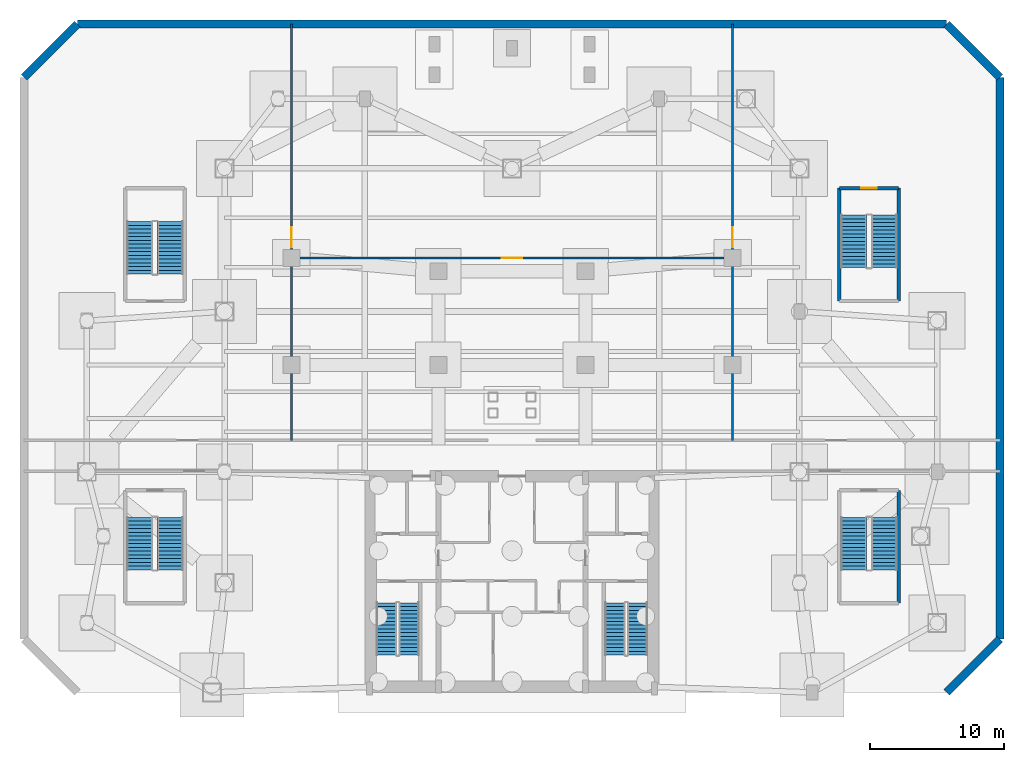
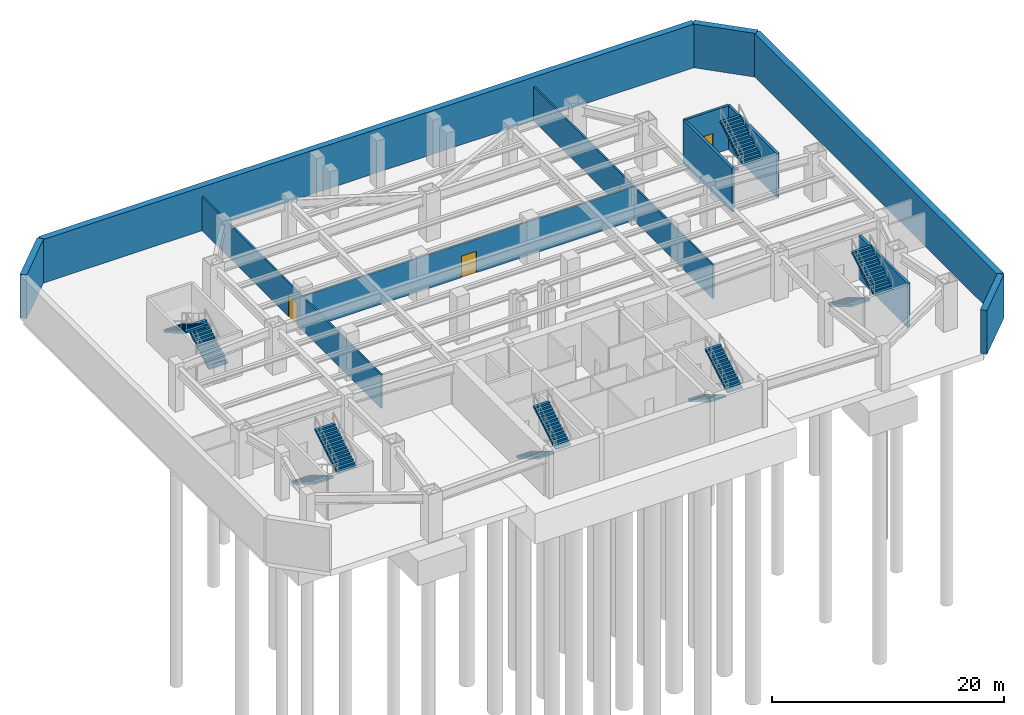
# One storey, part 5 of 7: 12 stair flights, 12 walls, 4 doors, 4 openings, 6 elements without a shape of their own.
"""IFC4 building model written with IfcOpenShell, lengths in metres."""

from ifc_helpers import new_model, si_unit, direction, frame, frame_2d, origin, place, context, subcontext, project, spatial, polyline, rectangle, outline, extrude, source, transform, mapped, material, layer, layer_set, type_object, type_shapes, element, fill, aggregate, save


model = new_model("IFC4")

# Units and contexts
model_context = context("Model", 3, precision=1e-05, world=origin(), true_north=direction((0.0, 1.0)))
body_context = subcontext(model_context, "Body", "Model", "MODEL_VIEW")
ifc_project = project(units=[si_unit("LENGTHUNIT", "METRE"), si_unit("AREAUNIT", "SQUARE_METRE"), si_unit("VOLUMEUNIT", "CUBIC_METRE"), si_unit("PLANEANGLEUNIT", "RADIAN"), si_unit("MASSUNIT", "GRAM", prefix="KILO")], contexts=[model_context])

# Site, building, storey
site_placement = place(None, origin())
site = spatial("IfcSite", under=ifc_project, at=site_placement, CompositionType="ELEMENT")
building_placement = place(site_placement, origin())
building = spatial("IfcBuilding", under=site, at=building_placement, Name="Varnakhor Terracotta Tower", CompositionType="ELEMENT")
storey_placement = place(building_placement, frame((0.0, 0.0, -10.0)))
storey = spatial("IfcBuildingStorey", under=building, at=storey_placement, Name="B02", CompositionType="ELEMENT", Elevation=-10.0)

# Walls
ifc_material_1 = material(Name="Concrete C40/50", Category="concrete")
ifc_layer_1 = layer(ifc_material_1, 0.60009765625, Name="Concrete C40/50")
ifc_layer_set_1 = layer_set([ifc_layer_1], Name="Concrete C40/50")
wall_type_1 = type_object("IfcWallType", Name="WAL-BSM-RET-600", PredefinedType="SOLIDWALL", material=ifc_layer_set_1)
wall_1_placement = place(storey_placement, frame((32.5, 0.0, 0.0), z_axis=(0.0, 0.0, 1.0), x_axis=(0.707106781187, 0.707106781187, 0.0)))
element("IfcWall", 1, at=wall_1_placement, inside=storey, type_object=wall_type_1, Name="B02 Perimeter Retaining Wall 2", PredefinedType="SOLIDWALL", context=body_context, shape_type="SweptSolid", body=[
    extrude(rectangle(XDim=5.65673828125, YDim=0.60009765625, at=frame_2d((2.828369140625, 0.0))), origin(), (0.0, 0.0, 1.0), 4.60009765625),
])
wall_2_placement = place(storey_placement, frame((36.5, 4.0, 0.0), z_axis=(0.0, 0.0, 1.0), x_axis=(0.0, 1.0, 0.0)))
element("IfcWall", 2, at=wall_2_placement, inside=storey, type_object=wall_type_1, Name="B02 Perimeter Retaining Wall 3", PredefinedType="SOLIDWALL", context=body_context, shape_type="SweptSolid", body=[
    extrude(rectangle(XDim=42.0, YDim=0.60009765625, at=frame_2d((21.0, 0.0))), origin(), (0.0, 0.0, 1.0), 4.60009765625),
])
wall_3_placement = place(storey_placement, frame((36.5, 46.0, 0.0), z_axis=(0.0, 0.0, 1.0), x_axis=(-0.707106781187, 0.707106781187, 0.0)))
element("IfcWall", 3, at=wall_3_placement, inside=storey, type_object=wall_type_1, Name="B02 Perimeter Retaining Wall 4", PredefinedType="SOLIDWALL", context=body_context, shape_type="SweptSolid", body=[
    extrude(rectangle(XDim=5.65673828125, YDim=0.60009765625, at=frame_2d((2.828369140625, 0.0))), origin(), (0.0, 0.0, 1.0), 4.60009765625),
])
wall_4_placement = place(storey_placement, frame((32.5, 50.0, 0.0), z_axis=(0.0, 0.0, 1.0), x_axis=(-1.0, 0.0, 0.0)))
element("IfcWall", 4, at=wall_4_placement, inside=storey, type_object=wall_type_1, Name="B02 Perimeter Retaining Wall 5", PredefinedType="SOLIDWALL", context=body_context, shape_type="SweptSolid", body=[
    extrude(rectangle(XDim=65.0, YDim=0.60009765625, at=frame_2d((32.5, 0.0))), origin(), (0.0, 0.0, 1.0), 4.60009765625),
])
wall_5_placement = place(storey_placement, frame((-32.5, 50.0, 0.0), z_axis=(0.0, 0.0, 1.0), x_axis=(-0.707106781187, -0.707106781187, 0.0)))
element("IfcWall", 5, at=wall_5_placement, inside=storey, type_object=wall_type_1, Name="B02 Perimeter Retaining Wall 6", PredefinedType="SOLIDWALL", context=body_context, shape_type="SweptSolid", body=[
    extrude(rectangle(XDim=5.65673828125, YDim=0.60009765625, at=frame_2d((2.828369140625, 0.0))), origin(), (0.0, 0.0, 1.0), 4.60009765625),
])
ifc_layer_2 = layer(ifc_material_1, 0.25, Name="Concrete C40/50")
ifc_layer_set_2 = layer_set([ifc_layer_2], Name="Concrete C40/50")
wall_type_2 = type_object("IfcWallType", Name="WAL-SHAFT-250", PredefinedType="SOLIDWALL", material=ifc_layer_set_2)
wall_6_placement = place(storey_placement, frame((28.919921875, 6.679931640625, 0.0), z_axis=(0.0, 0.0, 1.0), x_axis=(0.0, 1.0, 0.0)))
element("IfcWall", 6, at=wall_6_placement, inside=storey, type_object=wall_type_2, Name="B02 ST-P2 Bearing Shaft Wall E", PredefinedType="SOLIDWALL", context=body_context, shape_type="SweptSolid", body=[
    extrude(rectangle(XDim=8.440185546875, YDim=0.25, at=frame_2d((4.22021484375, 0.0))), origin(), (0.0, 0.0, 1.0), 4.60009765625),
])
for number, where, z_axis, x_axis, name in (
    (7, (24.47998046875, 29.280029296875, 0.0), (0.0, 0.0, 1.0), (0.0, 1.0, 0.0), "B02 ST-P4 Bearing Shaft Wall W"),
    (8, (28.919921875, 29.280029296875, 0.0), (0.0, 0.0, 1.0), (0.0, 1.0, 0.0), "B02 ST-P4 Bearing Shaft Wall E"),
):
    element("IfcWall", number, at=place(storey_placement, frame(where, z_axis=z_axis, x_axis=x_axis)), inside=storey, type_object=wall_type_2, Name=name, PredefinedType="SOLIDWALL", context=body_context, shape_type="SweptSolid", body=[
        extrude(rectangle(XDim=8.43994140625, YDim=0.25, at=frame_2d((4.219970703125, 0.0))), origin(), (0.0, 0.0, 1.0), 4.60009765625),
    ])

# Wall, opening, door
wall_7_placement = place(storey_placement, frame((28.919921875, 37.719970703125, 0.0), z_axis=(0.0, 0.0, 1.0), x_axis=(-1.0, 0.0, 0.0)))
wall_7 = element("IfcWall", 9, at=wall_7_placement, inside=storey, type_object=wall_type_2, Name="B02 ST-P4 Bearing Shaft Wall N", PredefinedType="SOLIDWALL", context=body_context, shape_type="SweptSolid", body=[
    extrude(rectangle(XDim=4.43994140625, YDim=0.25, at=frame_2d((2.219970703125, 0.0))), origin(), (0.0, 0.0, 1.0), 4.60009765625),
])
opening_1_placement = place(wall_7_placement, frame((1.64501953125, 0.0, 0.0)))
opening_1 = element("IfcOpeningElement", 10, at=opening_1_placement, cuts=wall_7, Name="Opening DR-34", PredefinedType="OPENING", context=body_context, shape_type="SweptSolid", body=[
    extrude(rectangle(XDim=1.14990234375, YDim=2.199951171875, at=frame_2d((0.574951171875, 1.10009765625))), frame((0.0, 0.135009765625, 0.0), z_axis=(0.0, -1.0, 0.0), x_axis=(1.0, 0.0, 0.0)), (0.0, 0.0, 1.0), 0.27001953125),
])
ifc_material_2 = material(Name="Self-Closing Smoke-Sealed Steel Fire Door", Category="steel")
door_type_1 = type_object("IfcDoorType", Name="DR-STAIR-1150X2200", OperationType="NOTDEFINED", PredefinedType="DOOR", material=ifc_material_2)
shared_shape_1 = source(origin(), body_context, "Body", "SweptSolid", [
    extrude(rectangle(XDim=1.14990234375, YDim=2.199951171875, at=frame_2d((0.574951171875, 1.10009765625))), frame((0.0, 0.02490234375, 0.0), z_axis=(0.0, -1.0, 0.0), x_axis=(1.0, 0.0, 0.0)), (0.0, 0.0, 1.0), 0.050048828125),
])
type_shapes(door_type_1, [shared_shape_1])
door_1_placement = place(opening_1_placement, origin())
door_1 = element("IfcDoor", 11, at=door_1_placement, inside=storey, type_object=door_type_1, Name="B02 Exit Stair ST-P4 Fire Door", OperationType="SINGLE_SWING_LEFT", OverallHeight=2.199951171875, OverallWidth=1.14990234375, PredefinedType="DOOR", context=body_context, shape_type="MappedRepresentation", body=[
    mapped(shared_shape_1, transform((0.0, 0.0, 0.0), scale=1.0)),
])
fill(opening_1, door_1)

ifc_material_3 = material(Name="Acoustic Fire-Rated Partition", Category="gypsum")
ifc_layer_3 = layer(ifc_material_3, 0.1650390625, Name="Acoustic Fire-Rated Partition")
ifc_layer_set_3 = layer_set([ifc_layer_3], Name="Acoustic Fire-Rated Partition")
wall_type_3 = type_object("IfcWallType", Name="WAL-TENANCY-165", PredefinedType="PARTITIONING", material=ifc_layer_set_3)
wall_8_placement = place(storey_placement, frame((-16.5, 18.85009765625, 0.0), z_axis=(0.0, 0.0, 1.0), x_axis=(0.0, 1.0, 0.0)))
wall_8 = element("IfcWall", 12, at=wall_8_placement, inside=storey, type_object=wall_type_3, Name="B02 West Bay Partition", PredefinedType="PARTITIONING", context=body_context, shape_type="SweptSolid", body=[
    extrude(rectangle(XDim=31.139892578125, YDim=0.1650390625, at=frame_2d((15.56982421875, 0.0))), origin(), (0.0, 0.0, 1.0), 3.552001953125),
])
opening_2_placement = place(wall_8_placement, frame((14.449951171875, 0.0, 0.0)))
opening_2 = element("IfcOpeningElement", 13, at=opening_2_placement, cuts=wall_8, Name="Opening DR-30", PredefinedType="OPENING", context=body_context, shape_type="SweptSolid", body=[
    extrude(rectangle(XDim=1.5, YDim=2.25, at=frame_2d((0.75, 1.125))), frame((0.0, 0.092529296875, 0.0), z_axis=(0.0, -1.0, 0.0), x_axis=(1.0, 0.0, 0.0)), (0.0, 0.0, 1.0), 0.18505859375),
])
ifc_material_4 = material(Name="Double Acoustic Conference Room Door", Category="wood")
door_type_2 = type_object("IfcDoorType", Name="DR-MEET-1500X2250", OperationType="NOTDEFINED", PredefinedType="DOOR", material=ifc_material_4)
shared_shape_2 = source(origin(), body_context, "Body", "SweptSolid", [
    extrude(rectangle(XDim=1.5, YDim=2.25, at=frame_2d((0.75, 1.125))), frame((0.0, 0.02490234375, 0.0), z_axis=(0.0, -1.0, 0.0), x_axis=(1.0, 0.0, 0.0)), (0.0, 0.0, 1.0), 0.050048828125),
])
type_shapes(door_type_2, [shared_shape_2])
door_2_placement = place(opening_2_placement, origin())
door_2 = element("IfcDoor", 14, at=door_2_placement, inside=storey, type_object=door_type_2, Name="B02 West Sub-Plant Door", OperationType="DOUBLE_DOOR_SINGLE_SWING", OverallHeight=2.25, OverallWidth=1.5, PredefinedType="DOOR", context=body_context, shape_type="MappedRepresentation", body=[
    mapped(shared_shape_2, transform((0.0, 0.0, 0.0), scale=1.0)),
])
fill(opening_2, door_2)

wall_9_placement = place(storey_placement, frame((16.5, 18.85009765625, 0.0), z_axis=(0.0, 0.0, 1.0), x_axis=(0.0, 1.0, 0.0)))
wall_9 = element("IfcWall", 15, at=wall_9_placement, inside=storey, type_object=wall_type_3, Name="B02 East Bay Partition", PredefinedType="PARTITIONING", context=body_context, shape_type="SweptSolid", body=[
    extrude(rectangle(XDim=31.139892578125, YDim=0.1650390625, at=frame_2d((15.56982421875, 0.0))), origin(), (0.0, 0.0, 1.0), 3.552001953125),
])
opening_3_placement = place(wall_9_placement, frame((14.449951171875, 0.0, 0.0)))
opening_3 = element("IfcOpeningElement", 16, at=opening_3_placement, cuts=wall_9, Name="Opening DR-30", PredefinedType="OPENING", context=body_context, shape_type="SweptSolid", body=[
    extrude(rectangle(XDim=1.5, YDim=2.25, at=frame_2d((0.75, 1.125))), frame((0.0, 0.092529296875, 0.0), z_axis=(0.0, -1.0, 0.0), x_axis=(1.0, 0.0, 0.0)), (0.0, 0.0, 1.0), 0.18505859375),
])
door_3_placement = place(opening_3_placement, origin())
door_3 = element("IfcDoor", 17, at=door_3_placement, inside=storey, type_object=door_type_2, Name="B02 East Sub-Plant Door", OperationType="DOUBLE_DOOR_SINGLE_SWING", OverallHeight=2.25, OverallWidth=1.5, PredefinedType="DOOR", context=body_context, shape_type="MappedRepresentation", body=[
    mapped(shared_shape_2, transform((0.0, 0.0, 0.0), scale=1.0)),
])
fill(opening_3, door_3)

wall_10_placement = place(storey_placement, frame((-16.5, 32.5, 0.0), z_axis=(0.0, 0.0, 1.0), x_axis=(1.0, 0.0, 0.0)))
wall_10 = element("IfcWall", 18, at=wall_10_placement, inside=storey, type_object=wall_type_3, Name="B02 Central Cross Partition", PredefinedType="PARTITIONING", context=body_context, shape_type="SweptSolid", body=[
    extrude(rectangle(XDim=33.0, YDim=0.1650390625, at=frame_2d((16.5, 0.0))), origin(), (0.0, 0.0, 1.0), 3.552001953125),
])
opening_4_placement = place(wall_10_placement, frame((15.75, 0.0, 0.0)))
opening_4 = element("IfcOpeningElement", 19, at=opening_4_placement, cuts=wall_10, Name="Opening DR-30", PredefinedType="OPENING", context=body_context, shape_type="SweptSolid", body=[
    extrude(rectangle(XDim=1.5, YDim=2.25, at=frame_2d((0.75, 1.125))), frame((0.0, 0.092529296875, 0.0), z_axis=(0.0, -1.0, 0.0), x_axis=(1.0, 0.0, 0.0)), (0.0, 0.0, 1.0), 0.18505859375),
])
door_4_placement = place(opening_4_placement, origin())
door_4 = element("IfcDoor", 20, at=door_4_placement, inside=storey, type_object=door_type_2, Name="B02 North Vault Door", OperationType="DOUBLE_DOOR_SINGLE_SWING", OverallHeight=2.25, OverallWidth=1.5, PredefinedType="DOOR", context=body_context, shape_type="MappedRepresentation", body=[
    mapped(shared_shape_2, transform((0.0, 0.0, 0.0), scale=1.0)),
])
fill(opening_4, door_4)

# Stair, stair flights
stair_type_1 = type_object("IfcStairType", Name="STR-CORE-OFFICE-1500", PredefinedType="HALF_TURN_STAIR", material=ifc_material_1)
stair_1_placement = place(storey_placement, origin())
stair_1 = element("IfcStair", 21, at=stair_1_placement, inside=storey, type_object=stair_type_1, Name="B02 Core Exit Stair ST-1", PredefinedType="HALF_TURN_STAIR")
stair_flight_type_1 = type_object("IfcStairFlightType", Name="FLT-CORE-1500", PredefinedType="STRAIGHT", material=ifc_material_1)
stair_flight_1_placement = place(storey_placement, frame((-9.39990234375, 6.7099609375, 0.0), z_axis=(0.0, 0.0, 1.0), x_axis=(0.0, -1.0, 0.0)))
stair_flight_1 = element("IfcStairFlight", 22, at=stair_flight_1_placement, type_object=stair_flight_type_1, Name="ST-1 flight 1", NumberOfRisers=15, NumberOfTreads=14, PredefinedType="STRAIGHT", RiserHeight=0.166666667, TreadLength=0.28, context=body_context, shape_type="SweptSolid", body=[
    extrude(outline(polyline([(0.0, 0.0), (0.0, 0.166748046875), (0.280029296875, 0.166748046875), (0.280029296875, 0.333251953125), (0.56005859375, 0.333251953125), (0.56005859375, 0.5), (0.840087890625, 0.5), (0.840087890625, 0.666748046875), (1.1201171875, 0.666748046875), (1.1201171875, 0.833251953125), (1.39990234375, 0.833251953125), (1.39990234375, 1.0), (1.679931640625, 1.0), (1.679931640625, 1.166748046875), (1.9599609375, 1.166748046875), (1.9599609375, 1.333251953125), (2.239990234375, 1.333251953125), (2.239990234375, 1.5), (2.52001953125, 1.5), (2.52001953125, 1.666748046875), (2.800048828125, 1.666748046875), (2.800048828125, 1.833251953125), (3.080078125, 1.833251953125), (3.080078125, 2.0), (3.360107421875, 2.0), (3.360107421875, 2.166748046875), (3.639892578125, 2.166748046875), (3.639892578125, 2.333251953125), (3.919921875, 2.333251953125), (3.919921875, 2.5), (3.919921875, 2.147216796875), (0.312744140625, 0.0), (0.0, 0.0)])), frame((0.0, 0.75, 0.0), z_axis=(0.0, -1.0, 0.0), x_axis=(1.0, 0.0, 0.0)), (0.0, 0.0, 1.0), 1.5),
])
stair_flight_2_placement = place(storey_placement, frame((-7.699951171875, 2.7900390625, 2.5), z_axis=(0.0, 0.0, 1.0), x_axis=(0.0, 1.0, 0.0)))
stair_flight_2 = element("IfcStairFlight", 23, at=stair_flight_2_placement, type_object=stair_flight_type_1, Name="ST-1 flight 2", NumberOfRisers=15, NumberOfTreads=14, PredefinedType="STRAIGHT", RiserHeight=0.166666667, TreadLength=0.28, context=body_context, shape_type="SweptSolid", body=[
    extrude(outline(polyline([(0.0, 0.0), (0.0, 0.166748046875), (0.280029296875, 0.166748046875), (0.280029296875, 0.333251953125), (0.56005859375, 0.333251953125), (0.56005859375, 0.5), (0.840087890625, 0.5), (0.840087890625, 0.666748046875), (1.1201171875, 0.666748046875), (1.1201171875, 0.833251953125), (1.39990234375, 0.833251953125), (1.39990234375, 1.0), (1.679931640625, 1.0), (1.679931640625, 1.166748046875), (1.9599609375, 1.166748046875), (1.9599609375, 1.333251953125), (2.239990234375, 1.333251953125), (2.239990234375, 1.5), (2.52001953125, 1.5), (2.52001953125, 1.666748046875), (2.800048828125, 1.666748046875), (2.800048828125, 1.833251953125), (3.080078125, 1.833251953125), (3.080078125, 2.0), (3.360107421875, 2.0), (3.360107421875, 2.166748046875), (3.639892578125, 2.166748046875), (3.639892578125, 2.333251953125), (3.919921875, 2.333251953125), (3.919921875, 2.5), (3.919921875, 2.147216796875), (0.312744140625, 0.0), (0.0, 0.0)])), frame((0.0, 0.75, 0.0), z_axis=(0.0, -1.0, 0.0), x_axis=(1.0, 0.0, 0.0)), (0.0, 0.0, 1.0), 1.5),
])
aggregate(stair_1, [stair_flight_1, stair_flight_2])

stair_2_placement = place(storey_placement, origin())
stair_2 = element("IfcStair", 24, at=stair_2_placement, inside=storey, type_object=stair_type_1, Name="B02 Core Exit Stair ST-2", PredefinedType="HALF_TURN_STAIR")
stair_flight_3_placement = place(storey_placement, frame((7.699951171875, 6.7099609375, 0.0), z_axis=(0.0, 0.0, 1.0), x_axis=(0.0, -1.0, 0.0)))
stair_flight_3 = element("IfcStairFlight", 25, at=stair_flight_3_placement, type_object=stair_flight_type_1, Name="ST-2 flight 1", NumberOfRisers=15, NumberOfTreads=14, PredefinedType="STRAIGHT", RiserHeight=0.166666667, TreadLength=0.28, context=body_context, shape_type="SweptSolid", body=[
    extrude(outline(polyline([(0.0, 0.0), (0.0, 0.166748046875), (0.280029296875, 0.166748046875), (0.280029296875, 0.333251953125), (0.56005859375, 0.333251953125), (0.56005859375, 0.5), (0.840087890625, 0.5), (0.840087890625, 0.666748046875), (1.1201171875, 0.666748046875), (1.1201171875, 0.833251953125), (1.39990234375, 0.833251953125), (1.39990234375, 1.0), (1.679931640625, 1.0), (1.679931640625, 1.166748046875), (1.9599609375, 1.166748046875), (1.9599609375, 1.333251953125), (2.239990234375, 1.333251953125), (2.239990234375, 1.5), (2.52001953125, 1.5), (2.52001953125, 1.666748046875), (2.800048828125, 1.666748046875), (2.800048828125, 1.833251953125), (3.080078125, 1.833251953125), (3.080078125, 2.0), (3.360107421875, 2.0), (3.360107421875, 2.166748046875), (3.639892578125, 2.166748046875), (3.639892578125, 2.333251953125), (3.919921875, 2.333251953125), (3.919921875, 2.5), (3.919921875, 2.147216796875), (0.312744140625, 0.0), (0.0, 0.0)])), frame((0.0, 0.75, 0.0), z_axis=(0.0, -1.0, 0.0), x_axis=(1.0, 0.0, 0.0)), (0.0, 0.0, 1.0), 1.5),
])
stair_flight_4_placement = place(storey_placement, frame((9.39990234375, 2.7900390625, 2.5), z_axis=(0.0, 0.0, 1.0), x_axis=(0.0, 1.0, 0.0)))
stair_flight_4 = element("IfcStairFlight", 26, at=stair_flight_4_placement, type_object=stair_flight_type_1, Name="ST-2 flight 2", NumberOfRisers=15, NumberOfTreads=14, PredefinedType="STRAIGHT", RiserHeight=0.166666667, TreadLength=0.28, context=body_context, shape_type="SweptSolid", body=[
    extrude(outline(polyline([(0.0, 0.0), (0.0, 0.166748046875), (0.280029296875, 0.166748046875), (0.280029296875, 0.333251953125), (0.56005859375, 0.333251953125), (0.56005859375, 0.5), (0.840087890625, 0.5), (0.840087890625, 0.666748046875), (1.1201171875, 0.666748046875), (1.1201171875, 0.833251953125), (1.39990234375, 0.833251953125), (1.39990234375, 1.0), (1.679931640625, 1.0), (1.679931640625, 1.166748046875), (1.9599609375, 1.166748046875), (1.9599609375, 1.333251953125), (2.239990234375, 1.333251953125), (2.239990234375, 1.5), (2.52001953125, 1.5), (2.52001953125, 1.666748046875), (2.800048828125, 1.666748046875), (2.800048828125, 1.833251953125), (3.080078125, 1.833251953125), (3.080078125, 2.0), (3.360107421875, 2.0), (3.360107421875, 2.166748046875), (3.639892578125, 2.166748046875), (3.639892578125, 2.333251953125), (3.919921875, 2.333251953125), (3.919921875, 2.5), (3.919921875, 2.147216796875), (0.312744140625, 0.0), (0.0, 0.0)])), frame((0.0, 0.75, 0.0), z_axis=(0.0, -1.0, 0.0), x_axis=(1.0, 0.0, 0.0)), (0.0, 0.0, 1.0), 1.5),
])
aggregate(stair_2, [stair_flight_3, stair_flight_4])

stair_type_2 = type_object("IfcStairType", Name="STR-PODIUM-EXIT-2000", PredefinedType="HALF_TURN_STAIR", material=ifc_material_1)
stair_3_placement = place(storey_placement, origin())
stair_3 = element("IfcStair", 27, at=stair_3_placement, inside=storey, type_object=stair_type_2, Name="B02 Podium Assembly Exit Stair ST-P1", PredefinedType="HALF_TURN_STAIR")
stair_flight_type_2 = type_object("IfcStairFlightType", Name="FLT-PODIUM-2000", PredefinedType="STRAIGHT", material=ifc_material_1)
stair_flight_5_placement = place(storey_placement, frame((-27.85009765625, 13.10009765625, 0.0), z_axis=(0.0, 0.0, 1.0), x_axis=(0.0, -1.0, 0.0)))
stair_flight_5 = element("IfcStairFlight", 28, at=stair_flight_5_placement, type_object=stair_flight_type_2, Name="ST-P1 flight 1", NumberOfRisers=15, NumberOfTreads=14, PredefinedType="STRAIGHT", RiserHeight=0.166666667, TreadLength=0.28, context=body_context, shape_type="SweptSolid", body=[
    extrude(outline(polyline([(0.0, 0.0), (0.0, 0.166748046875), (0.280029296875, 0.166748046875), (0.280029296875, 0.333251953125), (0.56005859375, 0.333251953125), (0.56005859375, 0.5), (0.840087890625, 0.5), (0.840087890625, 0.666748046875), (1.1201171875, 0.666748046875), (1.1201171875, 0.833251953125), (1.39990234375, 0.833251953125), (1.39990234375, 1.0), (1.679931640625, 1.0), (1.679931640625, 1.166748046875), (1.9599609375, 1.166748046875), (1.9599609375, 1.333251953125), (2.239990234375, 1.333251953125), (2.239990234375, 1.5), (2.52001953125, 1.5), (2.52001953125, 1.666748046875), (2.800048828125, 1.666748046875), (2.800048828125, 1.833251953125), (3.080078125, 1.833251953125), (3.080078125, 2.0), (3.360107421875, 2.0), (3.360107421875, 2.166748046875), (3.639892578125, 2.166748046875), (3.639892578125, 2.333251953125), (3.919921875, 2.333251953125), (3.919921875, 2.5), (3.919921875, 2.1240234375), (0.351806640625, 0.0), (0.0, 0.0)])), frame((0.0, 0.949951171875, 0.0), z_axis=(0.0, -1.0, 0.0), x_axis=(1.0, 0.0, 0.0)), (0.0, 0.0, 1.0), 1.89990234375),
])
stair_flight_6_placement = place(storey_placement, frame((-25.550048828125, 9.179931640625, 2.5), z_axis=(0.0, 0.0, 1.0), x_axis=(0.0, 1.0, 0.0)))
stair_flight_6 = element("IfcStairFlight", 29, at=stair_flight_6_placement, type_object=stair_flight_type_2, Name="ST-P1 flight 2", NumberOfRisers=15, NumberOfTreads=14, PredefinedType="STRAIGHT", RiserHeight=0.166666667, TreadLength=0.28, context=body_context, shape_type="SweptSolid", body=[
    extrude(outline(polyline([(0.0, 0.0), (0.0, 0.166748046875), (0.280029296875, 0.166748046875), (0.280029296875, 0.333251953125), (0.56005859375, 0.333251953125), (0.56005859375, 0.5), (0.840087890625, 0.5), (0.840087890625, 0.666748046875), (1.1201171875, 0.666748046875), (1.1201171875, 0.833251953125), (1.39990234375, 0.833251953125), (1.39990234375, 1.0), (1.679931640625, 1.0), (1.679931640625, 1.166748046875), (1.9599609375, 1.166748046875), (1.9599609375, 1.333251953125), (2.239990234375, 1.333251953125), (2.239990234375, 1.5), (2.52001953125, 1.5), (2.52001953125, 1.666748046875), (2.800048828125, 1.666748046875), (2.800048828125, 1.833251953125), (3.080078125, 1.833251953125), (3.080078125, 2.0), (3.360107421875, 2.0), (3.360107421875, 2.166748046875), (3.639892578125, 2.166748046875), (3.639892578125, 2.333251953125), (3.919921875, 2.333251953125), (3.919921875, 2.5), (3.919921875, 2.1240234375), (0.351806640625, 0.0), (0.0, 0.0)])), frame((0.0, 0.949951171875, 0.0), z_axis=(0.0, -1.0, 0.0), x_axis=(1.0, 0.0, 0.0)), (0.0, 0.0, 1.0), 1.89990234375),
])
aggregate(stair_3, [stair_flight_5, stair_flight_6])

stair_4_placement = place(storey_placement, origin())
stair_4 = element("IfcStair", 30, at=stair_4_placement, inside=storey, type_object=stair_type_2, Name="B02 Podium Assembly Exit Stair ST-P2", PredefinedType="HALF_TURN_STAIR")
stair_flight_7_placement = place(storey_placement, frame((25.550048828125, 13.10009765625, 0.0), z_axis=(0.0, 0.0, 1.0), x_axis=(0.0, -1.0, 0.0)))
stair_flight_7 = element("IfcStairFlight", 31, at=stair_flight_7_placement, type_object=stair_flight_type_2, Name="ST-P2 flight 1", NumberOfRisers=15, NumberOfTreads=14, PredefinedType="STRAIGHT", RiserHeight=0.166666667, TreadLength=0.28, context=body_context, shape_type="SweptSolid", body=[
    extrude(outline(polyline([(0.0, 0.0), (0.0, 0.166748046875), (0.280029296875, 0.166748046875), (0.280029296875, 0.333251953125), (0.56005859375, 0.333251953125), (0.56005859375, 0.5), (0.840087890625, 0.5), (0.840087890625, 0.666748046875), (1.1201171875, 0.666748046875), (1.1201171875, 0.833251953125), (1.39990234375, 0.833251953125), (1.39990234375, 1.0), (1.679931640625, 1.0), (1.679931640625, 1.166748046875), (1.9599609375, 1.166748046875), (1.9599609375, 1.333251953125), (2.239990234375, 1.333251953125), (2.239990234375, 1.5), (2.52001953125, 1.5), (2.52001953125, 1.666748046875), (2.800048828125, 1.666748046875), (2.800048828125, 1.833251953125), (3.080078125, 1.833251953125), (3.080078125, 2.0), (3.360107421875, 2.0), (3.360107421875, 2.166748046875), (3.639892578125, 2.166748046875), (3.639892578125, 2.333251953125), (3.919921875, 2.333251953125), (3.919921875, 2.5), (3.919921875, 2.1240234375), (0.351806640625, 0.0), (0.0, 0.0)])), frame((0.0, 0.949951171875, 0.0), z_axis=(0.0, -1.0, 0.0), x_axis=(1.0, 0.0, 0.0)), (0.0, 0.0, 1.0), 1.89990234375),
])
stair_flight_8_placement = place(storey_placement, frame((27.85009765625, 9.179931640625, 2.5), z_axis=(0.0, 0.0, 1.0), x_axis=(0.0, 1.0, 0.0)))
stair_flight_8 = element("IfcStairFlight", 32, at=stair_flight_8_placement, type_object=stair_flight_type_2, Name="ST-P2 flight 2", NumberOfRisers=15, NumberOfTreads=14, PredefinedType="STRAIGHT", RiserHeight=0.166666667, TreadLength=0.28, context=body_context, shape_type="SweptSolid", body=[
    extrude(outline(polyline([(0.0, 0.0), (0.0, 0.166748046875), (0.280029296875, 0.166748046875), (0.280029296875, 0.333251953125), (0.56005859375, 0.333251953125), (0.56005859375, 0.5), (0.840087890625, 0.5), (0.840087890625, 0.666748046875), (1.1201171875, 0.666748046875), (1.1201171875, 0.833251953125), (1.39990234375, 0.833251953125), (1.39990234375, 1.0), (1.679931640625, 1.0), (1.679931640625, 1.166748046875), (1.9599609375, 1.166748046875), (1.9599609375, 1.333251953125), (2.239990234375, 1.333251953125), (2.239990234375, 1.5), (2.52001953125, 1.5), (2.52001953125, 1.666748046875), (2.800048828125, 1.666748046875), (2.800048828125, 1.833251953125), (3.080078125, 1.833251953125), (3.080078125, 2.0), (3.360107421875, 2.0), (3.360107421875, 2.166748046875), (3.639892578125, 2.166748046875), (3.639892578125, 2.333251953125), (3.919921875, 2.333251953125), (3.919921875, 2.5), (3.919921875, 2.1240234375), (0.351806640625, 0.0), (0.0, 0.0)])), frame((0.0, 0.949951171875, 0.0), z_axis=(0.0, -1.0, 0.0), x_axis=(1.0, 0.0, 0.0)), (0.0, 0.0, 1.0), 1.89990234375),
])
aggregate(stair_4, [stair_flight_7, stair_flight_8])

stair_5_placement = place(storey_placement, origin())
stair_5 = element("IfcStair", 33, at=stair_5_placement, inside=storey, type_object=stair_type_2, Name="B02 Podium Assembly Exit Stair ST-P3", PredefinedType="HALF_TURN_STAIR")
stair_flight_9_placement = place(storey_placement, frame((-25.550048828125, 31.300048828125, 0.0), z_axis=(0.0, 0.0, 1.0), x_axis=(0.0, 1.0, 0.0)))
stair_flight_9 = element("IfcStairFlight", 34, at=stair_flight_9_placement, type_object=stair_flight_type_2, Name="ST-P3 flight 1", NumberOfRisers=15, NumberOfTreads=14, PredefinedType="STRAIGHT", RiserHeight=0.166666667, TreadLength=0.28, context=body_context, shape_type="SweptSolid", body=[
    extrude(outline(polyline([(0.0, 0.0), (0.0, 0.166748046875), (0.280029296875, 0.166748046875), (0.280029296875, 0.333251953125), (0.56005859375, 0.333251953125), (0.56005859375, 0.5), (0.840087890625, 0.5), (0.840087890625, 0.666748046875), (1.1201171875, 0.666748046875), (1.1201171875, 0.833251953125), (1.39990234375, 0.833251953125), (1.39990234375, 1.0), (1.679931640625, 1.0), (1.679931640625, 1.166748046875), (1.9599609375, 1.166748046875), (1.9599609375, 1.333251953125), (2.239990234375, 1.333251953125), (2.239990234375, 1.5), (2.52001953125, 1.5), (2.52001953125, 1.666748046875), (2.800048828125, 1.666748046875), (2.800048828125, 1.833251953125), (3.080078125, 1.833251953125), (3.080078125, 2.0), (3.360107421875, 2.0), (3.360107421875, 2.166748046875), (3.639892578125, 2.166748046875), (3.639892578125, 2.333251953125), (3.919921875, 2.333251953125), (3.919921875, 2.5), (3.919921875, 2.1240234375), (0.351806640625, 0.0), (0.0, 0.0)])), frame((0.0, 0.949951171875, 0.0), z_axis=(0.0, -1.0, 0.0), x_axis=(1.0, 0.0, 0.0)), (0.0, 0.0, 1.0), 1.89990234375),
])
stair_flight_10_placement = place(storey_placement, frame((-27.85009765625, 35.219970703125, 2.5), z_axis=(0.0, 0.0, 1.0), x_axis=(0.0, -1.0, 0.0)))
stair_flight_10 = element("IfcStairFlight", 35, at=stair_flight_10_placement, type_object=stair_flight_type_2, Name="ST-P3 flight 2", NumberOfRisers=15, NumberOfTreads=14, PredefinedType="STRAIGHT", RiserHeight=0.166666667, TreadLength=0.28, context=body_context, shape_type="SweptSolid", body=[
    extrude(outline(polyline([(0.0, 0.0), (0.0, 0.166748046875), (0.280029296875, 0.166748046875), (0.280029296875, 0.333251953125), (0.56005859375, 0.333251953125), (0.56005859375, 0.5), (0.840087890625, 0.5), (0.840087890625, 0.666748046875), (1.1201171875, 0.666748046875), (1.1201171875, 0.833251953125), (1.39990234375, 0.833251953125), (1.39990234375, 1.0), (1.679931640625, 1.0), (1.679931640625, 1.166748046875), (1.9599609375, 1.166748046875), (1.9599609375, 1.333251953125), (2.239990234375, 1.333251953125), (2.239990234375, 1.5), (2.52001953125, 1.5), (2.52001953125, 1.666748046875), (2.800048828125, 1.666748046875), (2.800048828125, 1.833251953125), (3.080078125, 1.833251953125), (3.080078125, 2.0), (3.360107421875, 2.0), (3.360107421875, 2.166748046875), (3.639892578125, 2.166748046875), (3.639892578125, 2.333251953125), (3.919921875, 2.333251953125), (3.919921875, 2.5), (3.919921875, 2.1240234375), (0.351806640625, 0.0), (0.0, 0.0)])), frame((0.0, 0.949951171875, 0.0), z_axis=(0.0, -1.0, 0.0), x_axis=(1.0, 0.0, 0.0)), (0.0, 0.0, 1.0), 1.89990234375),
])
aggregate(stair_5, [stair_flight_9, stair_flight_10])

stair_6_placement = place(storey_placement, origin())
stair_6 = element("IfcStair", 36, at=stair_6_placement, inside=storey, type_object=stair_type_2, Name="B02 Podium Assembly Exit Stair ST-P4", PredefinedType="HALF_TURN_STAIR")
stair_flight_11_placement = place(storey_placement, frame((25.550048828125, 35.699951171875, 0.0), z_axis=(0.0, 0.0, 1.0), x_axis=(0.0, -1.0, 0.0)))
stair_flight_11 = element("IfcStairFlight", 37, at=stair_flight_11_placement, type_object=stair_flight_type_2, Name="ST-P4 flight 1", NumberOfRisers=15, NumberOfTreads=14, PredefinedType="STRAIGHT", RiserHeight=0.166666667, TreadLength=0.28, context=body_context, shape_type="SweptSolid", body=[
    extrude(outline(polyline([(0.0, 0.0), (0.0, 0.166748046875), (0.280029296875, 0.166748046875), (0.280029296875, 0.333251953125), (0.56005859375, 0.333251953125), (0.56005859375, 0.5), (0.840087890625, 0.5), (0.840087890625, 0.666748046875), (1.1201171875, 0.666748046875), (1.1201171875, 0.833251953125), (1.39990234375, 0.833251953125), (1.39990234375, 1.0), (1.679931640625, 1.0), (1.679931640625, 1.166748046875), (1.9599609375, 1.166748046875), (1.9599609375, 1.333251953125), (2.239990234375, 1.333251953125), (2.239990234375, 1.5), (2.52001953125, 1.5), (2.52001953125, 1.666748046875), (2.800048828125, 1.666748046875), (2.800048828125, 1.833251953125), (3.080078125, 1.833251953125), (3.080078125, 2.0), (3.360107421875, 2.0), (3.360107421875, 2.166748046875), (3.639892578125, 2.166748046875), (3.639892578125, 2.333251953125), (3.919921875, 2.333251953125), (3.919921875, 2.5), (3.919921875, 2.1240234375), (0.351806640625, 0.0), (0.0, 0.0)])), frame((0.0, 0.949951171875, 0.0), z_axis=(0.0, -1.0, 0.0), x_axis=(1.0, 0.0, 0.0)), (0.0, 0.0, 1.0), 1.89990234375),
])
stair_flight_12_placement = place(storey_placement, frame((27.85009765625, 31.780029296875, 2.5), z_axis=(0.0, 0.0, 1.0), x_axis=(0.0, 1.0, 0.0)))
stair_flight_12 = element("IfcStairFlight", 38, at=stair_flight_12_placement, type_object=stair_flight_type_2, Name="ST-P4 flight 2", NumberOfRisers=15, NumberOfTreads=14, PredefinedType="STRAIGHT", RiserHeight=0.166666667, TreadLength=0.28, context=body_context, shape_type="SweptSolid", body=[
    extrude(outline(polyline([(0.0, 0.0), (0.0, 0.166748046875), (0.280029296875, 0.166748046875), (0.280029296875, 0.333251953125), (0.56005859375, 0.333251953125), (0.56005859375, 0.5), (0.840087890625, 0.5), (0.840087890625, 0.666748046875), (1.1201171875, 0.666748046875), (1.1201171875, 0.833251953125), (1.39990234375, 0.833251953125), (1.39990234375, 1.0), (1.679931640625, 1.0), (1.679931640625, 1.166748046875), (1.9599609375, 1.166748046875), (1.9599609375, 1.333251953125), (2.239990234375, 1.333251953125), (2.239990234375, 1.5), (2.52001953125, 1.5), (2.52001953125, 1.666748046875), (2.800048828125, 1.666748046875), (2.800048828125, 1.833251953125), (3.080078125, 1.833251953125), (3.080078125, 2.0), (3.360107421875, 2.0), (3.360107421875, 2.166748046875), (3.639892578125, 2.166748046875), (3.639892578125, 2.333251953125), (3.919921875, 2.333251953125), (3.919921875, 2.5), (3.919921875, 2.1240234375), (0.351806640625, 0.0), (0.0, 0.0)])), frame((0.0, 0.949951171875, 0.0), z_axis=(0.0, -1.0, 0.0), x_axis=(1.0, 0.0, 0.0)), (0.0, 0.0, 1.0), 1.89990234375),
])
aggregate(stair_6, [stair_flight_11, stair_flight_12])

save(model, "model.ifc")
